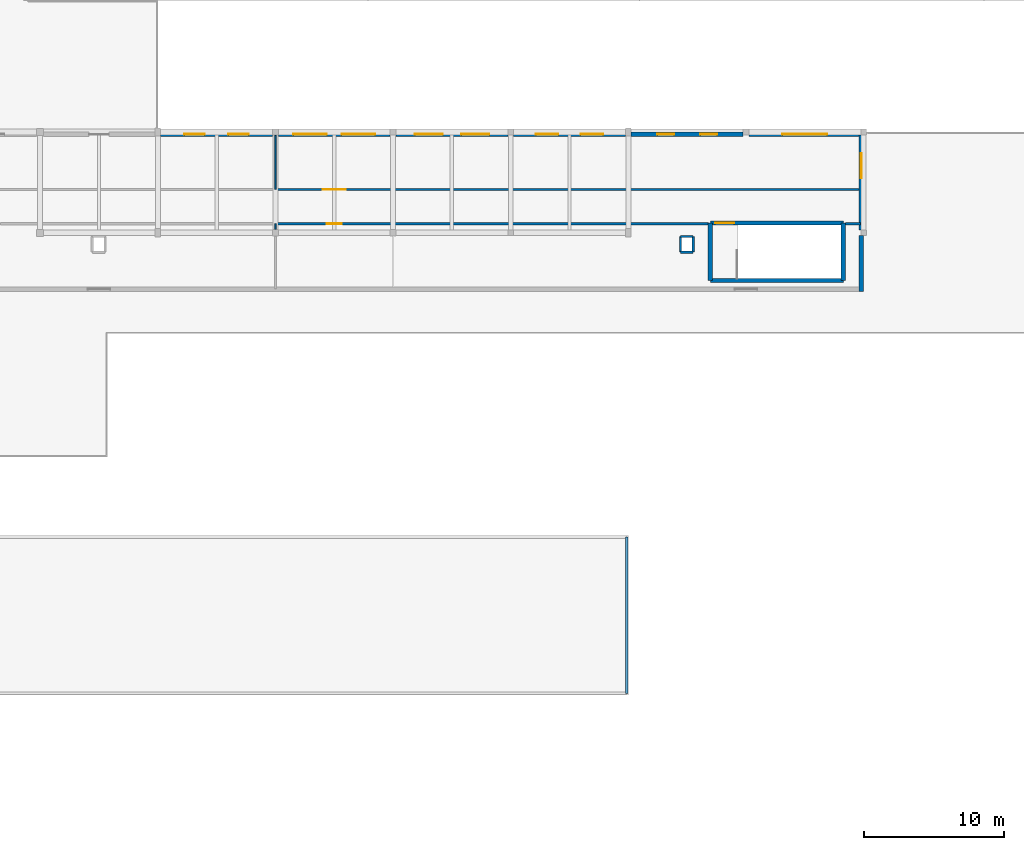
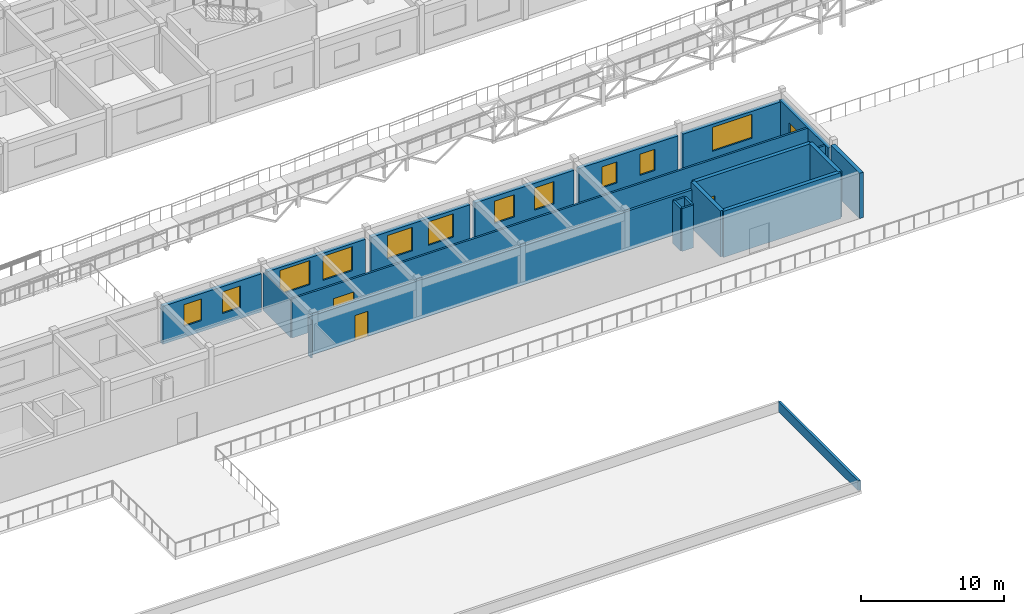
# One storey, part 28 of 41: 22 walls, 11 windows, 4 doors, 15 openings.
"""IFC4 building model written with IfcOpenShell, lengths in metres."""

from ifc_helpers import new_model, si_unit, direction, frame, frame_2d, origin, place, context, subcontext, project, spatial, rectangle, extrude, material, layer, layer_set, type_object, element, fill, save


model = new_model("IFC4")

# Units and contexts
model_context = context("Model", 3, precision=1e-05, world=origin(), true_north=direction((0.0, 1.0)))
body_context = subcontext(model_context, "Body", "Model", "MODEL_VIEW")
ifc_project = project(units=[si_unit("LENGTHUNIT", "METRE"), si_unit("AREAUNIT", "SQUARE_METRE"), si_unit("VOLUMEUNIT", "CUBIC_METRE"), si_unit("PLANEANGLEUNIT", "RADIAN"), si_unit("MASSUNIT", "GRAM", prefix="KILO")], contexts=[model_context])

# Site, building, storey
site_placement = place(None, origin())
site = spatial("IfcSite", under=ifc_project, at=site_placement, CompositionType="ELEMENT")
building_placement = place(site_placement, origin())
building = spatial("IfcBuilding", under=site, at=building_placement, Name="Malvenik Polytechnic", CompositionType="ELEMENT")
storey_placement = place(building_placement, frame((0.0, 0.0, 17.699951171875)))
storey = spatial("IfcBuildingStorey", under=building, at=storey_placement, Name="L04", CompositionType="ELEMENT", Elevation=17.699951171875)

# Wall
ifc_material_1 = material(Name="Concrete C35/45", Category="concrete")
ifc_layer_1 = layer(ifc_material_1, 0.300048828125)
ifc_layer_set_1 = layer_set([ifc_layer_1], Name="Concrete C35/45")
wall_type_1 = type_object("IfcWallType", Name="ARC-CW-S300", PredefinedType="SHEAR", material=ifc_layer_set_1)
wall_1_placement = place(storey_placement, frame((73.050048828125, 83.0, 0.0), z_axis=(0.0, 0.0, 1.0), x_axis=(0.0, 1.0, 0.0)))
element("IfcWall", 1, at=wall_1_placement, inside=storey, type_object=wall_type_1, Name="Stair Core Shear Wall ST-05 L04 NEAR", PredefinedType="SHEAR", context=body_context, shape_type="SweptSolid", body=[
    extrude(rectangle(XDim=4.10009765625, YDim=0.300048828125, at=frame_2d((2.050048828125, 0.0))), origin(), (0.0, 0.0, 1.0), 3.93994140625),
])

# Wall, opening, door
wall_2_placement = place(storey_placement, frame((73.050048828125, 87.10009765625, 0.0), z_axis=(0.0, 0.0, 1.0), x_axis=(1.0, 0.0, 0.0)))
wall_2 = element("IfcWall", 2, at=wall_2_placement, inside=storey, type_object=wall_type_1, Name="Stair Core Shear Wall ST-05 L04 RGHT", PredefinedType="SHEAR", context=body_context, shape_type="SweptSolid", body=[
    extrude(rectangle(XDim=9.5, YDim=0.300048828125, at=frame_2d((4.75, 0.0))), origin(), (0.0, 0.0, 1.0), 3.93994140625),
])
opening_1_placement = place(wall_2_placement, frame((0.35009765625, 0.0, 0.0)))
opening_1 = element("IfcOpeningElement", 3, at=opening_1_placement, cuts=wall_2, Name="Opening SD-01", PredefinedType="OPENING", context=body_context, shape_type="SweptSolid", body=[
    extrude(rectangle(XDim=1.35009765625, YDim=2.199951171875, at=frame_2d((0.675048828125, 1.10009765625))), frame((0.0, 0.16015625, 0.0), z_axis=(0.0, -1.0, 0.0), x_axis=(1.0, 0.0, 0.0)), (0.0, 0.0, 1.0), 0.320068359375),
])
ifc_material_2 = material(Name="Fire-rated steel stair enclosure door", Category="steel")
door_type_1 = type_object("IfcDoorType", Name="ARC-IDR-SD-01", OperationType="NOTDEFINED", PredefinedType="DOOR", material=ifc_material_2)
door_1_placement = place(opening_1_placement, origin())
door_1 = element("IfcDoor", 4, at=door_1_placement, inside=storey, type_object=door_type_1, Name="Fire Stair Door ST-05 L04", OperationType="SINGLE_SWING_RIGHT", OverallHeight=2.199951171875, OverallWidth=1.35009765625, PredefinedType="DOOR", context=body_context, shape_type="SweptSolid", body=[
    extrude(rectangle(XDim=1.35009765625, YDim=2.199951171875, at=frame_2d((0.675048828125, 1.10009765625))), frame((0.0, 0.02490234375, 0.0), z_axis=(0.0, -1.0, 0.0), x_axis=(1.0, 0.0, 0.0)), (0.0, 0.0, 1.0), 0.050048828125),
])
fill(opening_1, door_1)

# Walls
wall_3_placement = place(storey_placement, frame((82.550048828125, 87.10009765625, 0.0), z_axis=(0.0, 0.0, 1.0), x_axis=(0.0, -1.0, 0.0)))
element("IfcWall", 5, at=wall_3_placement, inside=storey, type_object=wall_type_1, Name="Stair Core Shear Wall ST-05 L04 FAR", PredefinedType="SHEAR", context=body_context, shape_type="SweptSolid", body=[
    extrude(rectangle(XDim=4.10009765625, YDim=0.300048828125, at=frame_2d((2.050048828125, 0.0))), origin(), (0.0, 0.0, 1.0), 3.93994140625),
])
wall_4_placement = place(storey_placement, frame((82.550048828125, 83.0, 0.0), z_axis=(0.0, 0.0, 1.0), x_axis=(-1.0, 0.0, 0.0)))
element("IfcWall", 6, at=wall_4_placement, inside=storey, type_object=wall_type_1, Name="Stair Core Shear Wall ST-05 L04 LEFT", PredefinedType="SHEAR", context=body_context, shape_type="SweptSolid", body=[
    extrude(rectangle(XDim=9.5, YDim=0.300048828125, at=frame_2d((4.75, 0.0))), origin(), (0.0, 0.0, 1.0), 3.93994140625),
])

# Wall, openings, windows
ifc_material_3 = material(Name="Brick masonry M15", Category="masonry")
ifc_layer_2 = layer(ifc_material_3, 0.31005859375)
ifc_layer_set_2 = layer_set([ifc_layer_2], Name="Brick masonry M15")
wall_type_2 = type_object("IfcWallType", Name="ARC-EW-310", PredefinedType="SOLIDWALL", material=ifc_layer_set_2)
wall_5_placement = place(storey_placement, frame((33.798095703125, 93.429931640625, 0.0), z_axis=(0.0, 0.0, 1.0), x_axis=(1.0, 0.0, 0.0)))
wall_5 = element("IfcWall", 7, at=wall_5_placement, inside=storey, type_object=wall_type_2, Name="External Facade Wall EW-03 L04 #458", PredefinedType="SOLIDWALL", context=body_context, shape_type="SweptSolid", body=[
    extrude(rectangle(XDim=7.97900390625, YDim=0.31005859375, at=frame_2d((3.989501953125, 0.0))), origin(), (0.0, 0.0, 1.0), 3.25),
])
opening_2_placement = place(wall_5_placement, frame((1.693115234375, 0.0, 0.949951171875)))
opening_2 = element("IfcOpeningElement", 8, at=opening_2_placement, cuts=wall_5, Name="Opening W-31", PredefinedType="OPENING", context=body_context, shape_type="SweptSolid", body=[
    extrude(rectangle(XDim=1.449951171875, YDim=1.85009765625, at=frame_2d((0.72509765625, 0.925048828125))), frame((0.0, 0.1650390625, 0.0), z_axis=(0.0, -1.0, 0.0), x_axis=(1.0, 0.0, 0.0)), (0.0, 0.0, 1.0), 0.330078125),
])
opening_3_placement = place(wall_5_placement, frame((4.8359375, 0.0, 0.949951171875)))
opening_3 = element("IfcOpeningElement", 9, at=opening_3_placement, cuts=wall_5, Name="Opening W-31", PredefinedType="OPENING", context=body_context, shape_type="SweptSolid", body=[
    extrude(rectangle(XDim=1.449951171875, YDim=1.85009765625, at=frame_2d((0.72509765625, 0.925048828125))), frame((0.0, 0.1650390625, 0.0), z_axis=(0.0, -1.0, 0.0), x_axis=(1.0, 0.0, 0.0)), (0.0, 0.0, 1.0), 0.330078125),
])
ifc_material_4 = material(Name="Thermally broken aluminium frame with low-E double glazing", Category="aluminium")
window_type_1 = type_object("IfcWindowType", Name="ARC-WIN-W-31", PartitioningType="SINGLE_PANEL", PredefinedType="WINDOW", material=ifc_material_4)
window_1_placement = place(opening_2_placement, origin())
window_1 = element("IfcWindow", 10, at=window_1_placement, inside=storey, type_object=window_type_1, Name="Punched Window W-31 L04 #485", OverallHeight=1.85009765625, OverallWidth=1.449951171875, PartitioningType="SINGLE_PANEL", PredefinedType="WINDOW", context=body_context, shape_type="SweptSolid", body=[
    extrude(rectangle(XDim=1.449951171875, YDim=1.85009765625, at=frame_2d((0.72509765625, 0.925048828125))), frame((0.0, 0.030029296875, 0.0), z_axis=(0.0, -1.0, 0.0), x_axis=(1.0, 0.0, 0.0)), (0.0, 0.0, 1.0), 0.06005859375),
])
fill(opening_2, window_1)
window_2_placement = place(opening_3_placement, origin())
window_2 = element("IfcWindow", 11, at=window_2_placement, inside=storey, type_object=window_type_1, Name="Punched Window W-31 L04 #486", OverallHeight=1.85009765625, OverallWidth=1.449951171875, PartitioningType="SINGLE_PANEL", PredefinedType="WINDOW", context=body_context, shape_type="SweptSolid", body=[
    extrude(rectangle(XDim=1.449951171875, YDim=1.85009765625, at=frame_2d((0.72509765625, 0.925048828125))), frame((0.0, 0.030029296875, 0.0), z_axis=(0.0, -1.0, 0.0), x_axis=(1.0, 0.0, 0.0)), (0.0, 0.0, 1.0), 0.06005859375),
])
fill(opening_3, window_2)

wall_6_placement = place(storey_placement, frame((42.222900390625, 93.429931640625, 0.0), z_axis=(0.0, 0.0, 1.0), x_axis=(1.0, 0.0, 0.0)))
wall_6 = element("IfcWall", 12, at=wall_6_placement, inside=storey, type_object=wall_type_2, Name="External Facade Wall EW-03 L04 #459", PredefinedType="SOLIDWALL", context=body_context, shape_type="SweptSolid", body=[
    extrude(rectangle(XDim=7.9541015625, YDim=0.31005859375, at=frame_2d((3.97705078125, 0.0))), origin(), (0.0, 0.0, 1.0), 3.25),
])
opening_4_placement = place(wall_6_placement, frame((1.05126953125, 0.0, 0.949951171875)))
opening_4 = element("IfcOpeningElement", 13, at=opening_4_placement, cuts=wall_6, Name="Opening W-01", PredefinedType="OPENING", context=body_context, shape_type="SweptSolid", body=[
    extrude(rectangle(XDim=2.39990234375, YDim=2.050048828125, at=frame_2d((1.199951171875, 1.02490234375))), frame((0.0, 0.1650390625, 0.0), z_axis=(0.0, -1.0, 0.0), x_axis=(1.0, 0.0, 0.0)), (0.0, 0.0, 1.0), 0.330078125),
])
opening_5_placement = place(wall_6_placement, frame((4.502685546875, 0.0, 0.949951171875)))
opening_5 = element("IfcOpeningElement", 14, at=opening_5_placement, cuts=wall_6, Name="Opening W-01", PredefinedType="OPENING", context=body_context, shape_type="SweptSolid", body=[
    extrude(rectangle(XDim=2.39990234375, YDim=2.050048828125, at=frame_2d((1.199951171875, 1.02490234375))), frame((0.0, 0.1650390625, 0.0), z_axis=(0.0, -1.0, 0.0), x_axis=(1.0, 0.0, 0.0)), (0.0, 0.0, 1.0), 0.330078125),
])
window_type_2 = type_object("IfcWindowType", Name="ARC-WIN-W-01", PartitioningType="SINGLE_PANEL", PredefinedType="WINDOW", material=ifc_material_4)
window_3_placement = place(opening_4_placement, origin())
window_3 = element("IfcWindow", 15, at=window_3_placement, inside=storey, type_object=window_type_2, Name="Punched Window W-01 L04 #487", OverallHeight=2.050048828125, OverallWidth=2.39990234375, PartitioningType="SINGLE_PANEL", PredefinedType="WINDOW", context=body_context, shape_type="SweptSolid", body=[
    extrude(rectangle(XDim=2.39990234375, YDim=2.050048828125, at=frame_2d((1.199951171875, 1.02490234375))), frame((0.0, 0.030029296875, 0.0), z_axis=(0.0, -1.0, 0.0), x_axis=(1.0, 0.0, 0.0)), (0.0, 0.0, 1.0), 0.06005859375),
])
fill(opening_4, window_3)
window_4_placement = place(opening_5_placement, origin())
window_4 = element("IfcWindow", 16, at=window_4_placement, inside=storey, type_object=window_type_2, Name="Punched Window W-01 L04 #488", OverallHeight=2.050048828125, OverallWidth=2.39990234375, PartitioningType="SINGLE_PANEL", PredefinedType="WINDOW", context=body_context, shape_type="SweptSolid", body=[
    extrude(rectangle(XDim=2.39990234375, YDim=2.050048828125, at=frame_2d((1.199951171875, 1.02490234375))), frame((0.0, 0.030029296875, 0.0), z_axis=(0.0, -1.0, 0.0), x_axis=(1.0, 0.0, 0.0)), (0.0, 0.0, 1.0), 0.06005859375),
])
fill(opening_5, window_4)

wall_7_placement = place(storey_placement, frame((50.623046875, 93.429931640625, 0.0), z_axis=(0.0, 0.0, 1.0), x_axis=(1.0, 0.0, 0.0)))
wall_7 = element("IfcWall", 17, at=wall_7_placement, inside=storey, type_object=wall_type_2, Name="External Facade Wall EW-03 L04 #460", PredefinedType="SOLIDWALL", context=body_context, shape_type="SweptSolid", body=[
    extrude(rectangle(XDim=7.97900390625, YDim=0.31005859375, at=frame_2d((3.989501953125, 0.0))), origin(), (0.0, 0.0, 1.0), 3.25),
])
opening_6_placement = place(wall_7_placement, frame((1.326416015625, 0.0, 0.949951171875)))
opening_6 = element("IfcOpeningElement", 18, at=opening_6_placement, cuts=wall_7, Name="Opening W-03", PredefinedType="OPENING", context=body_context, shape_type="SweptSolid", body=[
    extrude(rectangle(XDim=2.0, YDim=2.0, at=frame_2d((1.0, 1.0))), frame((0.0, 0.1650390625, 0.0), z_axis=(0.0, -1.0, 0.0), x_axis=(1.0, 0.0, 0.0)), (0.0, 0.0, 1.0), 0.330078125),
])
opening_7_placement = place(wall_7_placement, frame((4.652587890625, 0.0, 0.949951171875)))
opening_7 = element("IfcOpeningElement", 19, at=opening_7_placement, cuts=wall_7, Name="Opening W-03", PredefinedType="OPENING", context=body_context, shape_type="SweptSolid", body=[
    extrude(rectangle(XDim=2.0, YDim=2.0, at=frame_2d((1.0, 1.0))), frame((0.0, 0.1650390625, 0.0), z_axis=(0.0, -1.0, 0.0), x_axis=(1.0, 0.0, 0.0)), (0.0, 0.0, 1.0), 0.330078125),
])
window_type_3 = type_object("IfcWindowType", Name="ARC-WIN-W-03", PartitioningType="SINGLE_PANEL", PredefinedType="WINDOW", material=ifc_material_4)
window_5_placement = place(opening_6_placement, origin())
window_5 = element("IfcWindow", 20, at=window_5_placement, inside=storey, type_object=window_type_3, Name="Punched Window W-03 L04 #489", OverallHeight=2.0, OverallWidth=2.0, PartitioningType="SINGLE_PANEL", PredefinedType="WINDOW", context=body_context, shape_type="SweptSolid", body=[
    extrude(rectangle(XDim=2.0, YDim=2.0, at=frame_2d((1.0, 1.0))), frame((0.0, 0.030029296875, 0.0), z_axis=(0.0, -1.0, 0.0), x_axis=(1.0, 0.0, 0.0)), (0.0, 0.0, 1.0), 0.06005859375),
])
fill(opening_6, window_5)
window_6_placement = place(opening_7_placement, origin())
window_6 = element("IfcWindow", 21, at=window_6_placement, inside=storey, type_object=window_type_3, Name="Punched Window W-03 L04 #490", OverallHeight=2.0, OverallWidth=2.0, PartitioningType="SINGLE_PANEL", PredefinedType="WINDOW", context=body_context, shape_type="SweptSolid", body=[
    extrude(rectangle(XDim=2.0, YDim=2.0, at=frame_2d((1.0, 1.0))), frame((0.0, 0.030029296875, 0.0), z_axis=(0.0, -1.0, 0.0), x_axis=(1.0, 0.0, 0.0)), (0.0, 0.0, 1.0), 0.06005859375),
])
fill(opening_7, window_6)

wall_8_placement = place(storey_placement, frame((58.998046875, 93.429931640625, 0.0), z_axis=(0.0, 0.0, 1.0), x_axis=(1.0, 0.0, 0.0)))
wall_8 = element("IfcWall", 22, at=wall_8_placement, inside=storey, type_object=wall_type_2, Name="External Facade Wall EW-03 L04 #461", PredefinedType="SOLIDWALL", context=body_context, shape_type="SweptSolid", body=[
    extrude(rectangle(XDim=8.00390625, YDim=0.31005859375, at=frame_2d((4.001953125, 0.0))), origin(), (0.0, 0.0, 1.0), 3.25),
])
opening_8_placement = place(wall_8_placement, frame((1.601318359375, 0.0, 0.949951171875)))
opening_8 = element("IfcOpeningElement", 23, at=opening_8_placement, cuts=wall_8, Name="Opening W-05", PredefinedType="OPENING", context=body_context, shape_type="SweptSolid", body=[
    extrude(rectangle(XDim=1.60009765625, YDim=1.89990234375, at=frame_2d((0.800048828125, 0.949951171875))), frame((0.0, 0.1650390625, 0.0), z_axis=(0.0, -1.0, 0.0), x_axis=(1.0, 0.0, 0.0)), (0.0, 0.0, 1.0), 0.330078125),
])
opening_9_placement = place(wall_8_placement, frame((4.802490234375, 0.0, 0.949951171875)))
opening_9 = element("IfcOpeningElement", 24, at=opening_9_placement, cuts=wall_8, Name="Opening W-05", PredefinedType="OPENING", context=body_context, shape_type="SweptSolid", body=[
    extrude(rectangle(XDim=1.60009765625, YDim=1.89990234375, at=frame_2d((0.800048828125, 0.949951171875))), frame((0.0, 0.1650390625, 0.0), z_axis=(0.0, -1.0, 0.0), x_axis=(1.0, 0.0, 0.0)), (0.0, 0.0, 1.0), 0.330078125),
])
window_type_4 = type_object("IfcWindowType", Name="ARC-WIN-W-05", PartitioningType="SINGLE_PANEL", PredefinedType="WINDOW", material=ifc_material_4)
window_7_placement = place(opening_8_placement, origin())
window_7 = element("IfcWindow", 25, at=window_7_placement, inside=storey, type_object=window_type_4, Name="Punched Window W-05 L04 #491", OverallHeight=1.89990234375, OverallWidth=1.60009765625, PartitioningType="SINGLE_PANEL", PredefinedType="WINDOW", context=body_context, shape_type="SweptSolid", body=[
    extrude(rectangle(XDim=1.60009765625, YDim=1.89990234375, at=frame_2d((0.800048828125, 0.949951171875))), frame((0.0, 0.030029296875, 0.0), z_axis=(0.0, -1.0, 0.0), x_axis=(1.0, 0.0, 0.0)), (0.0, 0.0, 1.0), 0.06005859375),
])
fill(opening_8, window_7)
window_8_placement = place(opening_9_placement, origin())
window_8 = element("IfcWindow", 26, at=window_8_placement, inside=storey, type_object=window_type_4, Name="Punched Window W-05 L04 #492", OverallHeight=1.89990234375, OverallWidth=1.60009765625, PartitioningType="SINGLE_PANEL", PredefinedType="WINDOW", context=body_context, shape_type="SweptSolid", body=[
    extrude(rectangle(XDim=1.60009765625, YDim=1.89990234375, at=frame_2d((0.800048828125, 0.949951171875))), frame((0.0, 0.030029296875, 0.0), z_axis=(0.0, -1.0, 0.0), x_axis=(1.0, 0.0, 0.0)), (0.0, 0.0, 1.0), 0.06005859375),
])
fill(opening_9, window_8)

wall_9_placement = place(storey_placement, frame((67.39794921875, 93.429931640625, 0.0), z_axis=(0.0, 0.0, 1.0), x_axis=(1.0, 0.0, 0.0)))
wall_9 = element("IfcWall", 27, at=wall_9_placement, inside=storey, type_object=wall_type_2, Name="External Facade Wall EW-03 L04 #462", PredefinedType="SOLIDWALL", context=body_context, shape_type="SweptSolid", body=[
    extrude(rectangle(XDim=8.004150390625, YDim=0.31005859375, at=frame_2d((4.001953125, 0.0))), origin(), (0.0, 0.0, 1.0), 3.25),
])
opening_10_placement = place(wall_9_placement, frame((1.867919921875, 0.0, 0.949951171875)))
opening_10 = element("IfcOpeningElement", 28, at=opening_10_placement, cuts=wall_9, Name="Opening W-07", PredefinedType="OPENING", context=body_context, shape_type="SweptSolid", body=[
    extrude(rectangle(XDim=1.199951171875, YDim=1.800048828125, at=frame_2d((0.60009765625, 0.89990234375))), frame((0.0, 0.1650390625, 0.0), z_axis=(0.0, -1.0, 0.0), x_axis=(1.0, 0.0, 0.0)), (0.0, 0.0, 1.0), 0.330078125),
])
opening_11_placement = place(wall_9_placement, frame((4.93603515625, 0.0, 0.949951171875)))
opening_11 = element("IfcOpeningElement", 29, at=opening_11_placement, cuts=wall_9, Name="Opening W-07", PredefinedType="OPENING", context=body_context, shape_type="SweptSolid", body=[
    extrude(rectangle(XDim=1.199951171875, YDim=1.800048828125, at=frame_2d((0.60009765625, 0.89990234375))), frame((0.0, 0.1650390625, 0.0), z_axis=(0.0, -1.0, 0.0), x_axis=(1.0, 0.0, 0.0)), (0.0, 0.0, 1.0), 0.330078125),
])
window_type_5 = type_object("IfcWindowType", Name="ARC-WIN-W-07", PartitioningType="SINGLE_PANEL", PredefinedType="WINDOW", material=ifc_material_4)
window_9_placement = place(opening_10_placement, origin())
window_9 = element("IfcWindow", 30, at=window_9_placement, inside=storey, type_object=window_type_5, Name="Punched Window W-07 L04 #493", OverallHeight=1.800048828125, OverallWidth=1.199951171875, PartitioningType="SINGLE_PANEL", PredefinedType="WINDOW", context=body_context, shape_type="SweptSolid", body=[
    extrude(rectangle(XDim=1.199951171875, YDim=1.800048828125, at=frame_2d((0.60009765625, 0.89990234375))), frame((0.0, 0.030029296875, 0.0), z_axis=(0.0, -1.0, 0.0), x_axis=(1.0, 0.0, 0.0)), (0.0, 0.0, 1.0), 0.06005859375),
])
fill(opening_10, window_9)
window_10_placement = place(opening_11_placement, origin())
window_10 = element("IfcWindow", 31, at=window_10_placement, inside=storey, type_object=window_type_5, Name="Punched Window W-07 L04 #494", OverallHeight=1.800048828125, OverallWidth=1.199951171875, PartitioningType="SINGLE_PANEL", PredefinedType="WINDOW", context=body_context, shape_type="SweptSolid", body=[
    extrude(rectangle(XDim=1.199951171875, YDim=1.800048828125, at=frame_2d((0.60009765625, 0.89990234375))), frame((0.0, 0.030029296875, 0.0), z_axis=(0.0, -1.0, 0.0), x_axis=(1.0, 0.0, 0.0)), (0.0, 0.0, 1.0), 0.06005859375),
])
fill(opening_11, window_10)

# Wall, opening, window
wall_10_placement = place(storey_placement, frame((75.798095703125, 93.429931640625, 0.0), z_axis=(0.0, 0.0, 1.0), x_axis=(1.0, 0.0, 0.0)))
wall_10 = element("IfcWall", 32, at=wall_10_placement, inside=storey, type_object=wall_type_2, Name="External Facade Wall EW-03 L04 #463", PredefinedType="SOLIDWALL", context=body_context, shape_type="SweptSolid", body=[
    extrude(rectangle(XDim=8.00390625, YDim=0.31005859375, at=frame_2d((4.001953125, 0.0))), origin(), (0.0, 0.0, 1.0), 3.25),
])
opening_12_placement = place(wall_10_placement, frame((2.402099609375, 0.0, 0.949951171875)))
opening_12 = element("IfcOpeningElement", 33, at=opening_12_placement, cuts=wall_10, Name="Opening W-09", PredefinedType="OPENING", context=body_context, shape_type="SweptSolid", body=[
    extrude(rectangle(XDim=3.199951171875, YDim=2.050048828125, at=frame_2d((1.60009765625, 1.02490234375))), frame((0.0, 0.1650390625, 0.0), z_axis=(0.0, -1.0, 0.0), x_axis=(1.0, 0.0, 0.0)), (0.0, 0.0, 1.0), 0.330078125),
])
window_type_6 = type_object("IfcWindowType", Name="ARC-WIN-W-09", PartitioningType="SINGLE_PANEL", PredefinedType="WINDOW", material=ifc_material_4)
window_11_placement = place(opening_12_placement, origin())
window_11 = element("IfcWindow", 34, at=window_11_placement, inside=storey, type_object=window_type_6, Name="Punched Window W-09 L04 #495", OverallHeight=2.050048828125, OverallWidth=3.199951171875, PartitioningType="SINGLE_PANEL", PredefinedType="WINDOW", context=body_context, shape_type="SweptSolid", body=[
    extrude(rectangle(XDim=3.199951171875, YDim=2.050048828125, at=frame_2d((1.60009765625, 1.02490234375))), frame((0.0, 0.030029296875, 0.0), z_axis=(0.0, -1.0, 0.0), x_axis=(1.0, 0.0, 0.0)), (0.0, 0.0, 1.0), 0.06005859375),
])
fill(opening_12, window_11)

# Wall, opening, door
wall_11_placement = place(storey_placement, frame((83.830078125, 93.402099609375, 0.0), z_axis=(0.0, 0.0, 1.0), x_axis=(0.0, -1.0, 0.0)))
wall_11 = element("IfcWall", 35, at=wall_11_placement, inside=storey, type_object=wall_type_2, Name="External Facade Wall EW-03 L04 #464", PredefinedType="SOLIDWALL", context=body_context, shape_type="SweptSolid", body=[
    extrude(rectangle(XDim=6.80419921875, YDim=0.31005859375, at=frame_2d((3.402099609375, 0.0))), origin(), (0.0, 0.0, 1.0), 3.360107421875),
])
opening_13_placement = place(wall_11_placement, frame((1.302001953125, 0.0, 0.0)))
opening_13 = element("IfcOpeningElement", 36, at=opening_13_placement, cuts=wall_11, Name="Opening TD-01", PredefinedType="OPENING", context=body_context, shape_type="SweptSolid", body=[
    extrude(rectangle(XDim=1.800048828125, YDim=2.199951171875, at=frame_2d((0.89990234375, 1.10009765625))), frame((0.0, 0.1650390625, 0.0), z_axis=(0.0, -1.0, 0.0), x_axis=(1.0, 0.0, 0.0)), (0.0, 0.0, 1.0), 0.330078125),
])
ifc_material_5 = material(Name="Thermally broken glazed aluminium terrace door", Category="aluminium")
door_type_2 = type_object("IfcDoorType", Name="ARC-EDR-TD-01", OperationType="NOTDEFINED", PredefinedType="DOOR", material=ifc_material_5)
door_2_placement = place(opening_13_placement, origin())
door_2 = element("IfcDoor", 37, at=door_2_placement, inside=storey, type_object=door_type_2, Name="External Door TD-01 L04 #43", OperationType="DOUBLE_DOOR_SINGLE_SWING", OverallHeight=2.199951171875, OverallWidth=1.800048828125, PredefinedType="DOOR", context=body_context, shape_type="SweptSolid", body=[
    extrude(rectangle(XDim=1.800048828125, YDim=2.199951171875, at=frame_2d((0.89990234375, 1.10009765625))), frame((0.0, 0.02490234375, 0.0), z_axis=(0.0, -1.0, 0.0), x_axis=(1.0, 0.0, 0.0)), (0.0, 0.0, 1.0), 0.050048828125),
])
fill(opening_13, door_2)

# Wall
wall_12_placement = place(storey_placement, frame((83.830078125, 86.201904296875, 0.0), z_axis=(0.0, 0.0, 1.0), x_axis=(0.0, -1.0, 0.0)))
element("IfcWall", 38, at=wall_12_placement, inside=storey, type_object=wall_type_2, Name="External Facade Wall EW-03 L04 #465", PredefinedType="SOLIDWALL", context=body_context, shape_type="SweptSolid", body=[
    extrude(rectangle(XDim=4.001953125, YDim=0.31005859375, at=frame_2d((2.0009765625, 0.0))), origin(), (0.0, 0.0, 1.0), 3.860107421875),
])

# Wall, opening, door
ifc_material_6 = material(Name="Calcium silicate fire-rated blockwork 200mm", Category="masonry")
ifc_layer_3 = layer(ifc_material_6, 0.199951171875)
ifc_layer_set_3 = layer_set([ifc_layer_3], Name="Calcium silicate fire-rated blockwork 200mm")
wall_type_3 = type_object("IfcWallType", Name="ARC-FW-200", PredefinedType="SOLIDWALL", material=ifc_layer_set_3)
wall_13_placement = place(storey_placement, frame((72.909912109375, 87.050048828125, 0.0), z_axis=(0.0, 0.0, 1.0), x_axis=(-1.0, 0.0, 0.0)))
wall_13 = element("IfcWall", 39, at=wall_13_placement, inside=storey, type_object=wall_type_3, Name="Interior Partition FW-02 L04 #388", PredefinedType="SOLIDWALL", context=body_context, shape_type="SweptSolid", body=[
    extrude(rectangle(XDim=30.909912109375, YDim=0.199951171875, at=frame_2d((15.455078125, 0.0))), origin(), (0.0, 0.0, 1.0), 3.35498046875),
])
opening_14_placement = place(wall_13_placement, frame((26.18505859375, 0.0, 0.0)))
opening_14 = element("IfcOpeningElement", 40, at=opening_14_placement, cuts=wall_13, Name="Opening FD-05", PredefinedType="OPENING", context=body_context, shape_type="SweptSolid", body=[
    extrude(rectangle(XDim=1.050048828125, YDim=2.14990234375, at=frame_2d((0.52490234375, 1.074951171875))), frame((0.0, 0.10986328125, 0.0), z_axis=(0.0, -1.0, 0.0), x_axis=(1.0, 0.0, 0.0)), (0.0, 0.0, 1.0), 0.219970703125),
])
ifc_material_7 = material(Name="Fire-rated archive room door", Category="steel")
door_type_3 = type_object("IfcDoorType", Name="ARC-IDR-FD-05", OperationType="NOTDEFINED", PredefinedType="DOOR", material=ifc_material_7)
door_3_placement = place(opening_14_placement, origin())
door_3 = element("IfcDoor", 41, at=door_3_placement, inside=storey, type_object=door_type_3, Name="Interior Door FD-05 L04 #163", OperationType="SINGLE_SWING_LEFT", OverallHeight=2.14990234375, OverallWidth=1.050048828125, PredefinedType="DOOR", context=body_context, shape_type="SweptSolid", body=[
    extrude(rectangle(XDim=1.050048828125, YDim=2.14990234375, at=frame_2d((0.52490234375, 1.074951171875))), frame((0.0, 0.02490234375, 0.0), z_axis=(0.0, -1.0, 0.0), x_axis=(1.0, 0.0, 0.0)), (0.0, 0.0, 1.0), 0.050048828125),
])
fill(opening_14, door_3)

# Walls
ifc_material_8 = material(Name="Lightweight gypsum partition 110mm", Category="gypsum")
ifc_layer_4 = layer(ifc_material_8, 0.110107421875)
ifc_layer_set_4 = layer_set([ifc_layer_4], Name="Lightweight gypsum partition 110mm")
wall_type_4 = type_object("IfcWallType", Name="ARC-PW-110", PredefinedType="PARTITIONING", material=ifc_layer_set_4)
wall_14_placement = place(storey_placement, frame((42.0, 89.5, 0.0), z_axis=(0.0, 0.0, 1.0), x_axis=(0.0, 1.0, 0.0)))
element("IfcWall", 42, at=wall_14_placement, inside=storey, type_object=wall_type_4, Name="Interior Partition PW-04I L04 #380", PredefinedType="PARTITIONING", context=body_context, shape_type="SweptSolid", body=[
    extrude(rectangle(XDim=3.85498046875, YDim=0.110107421875, at=frame_2d((1.927490234375, 0.0))), origin(), (0.0, 0.0, 1.0), 3.2451171875),
])
wall_15_placement = place(storey_placement, frame((42.0, 86.64501953125, 0.0), z_axis=(0.0, 0.0, 1.0), x_axis=(0.0, 1.0, 0.0)))
element("IfcWall", 43, at=wall_15_placement, inside=storey, type_object=wall_type_4, Name="Interior Partition PW-04I L04 #386", PredefinedType="PARTITIONING", context=body_context, shape_type="SweptSolid", body=[
    extrude(rectangle(XDim=0.405029296875, YDim=0.110107421875, at=frame_2d((0.20263671875, 0.0))), origin(), (0.0, 0.0, 1.0), 3.22509765625),
])
ifc_material_9 = material(Name="Double-stud acoustic gypsum board partition 160mm", Category="gypsum")
ifc_layer_5 = layer(ifc_material_9, 0.159912109375)
ifc_layer_set_5 = layer_set([ifc_layer_5], Name="Double-stud acoustic gypsum board partition 160mm")
wall_type_5 = type_object("IfcWallType", Name="ARC-PW-160", PredefinedType="PARTITIONING", material=ifc_layer_set_5)
for number, where, z_axis, x_axis, name in (
    (44, (70.919921875, 85.02001953125, 0.0), (0.0, 0.0, 1.0), (1.0, 0.0, 0.0), "Riser Shaft Enclosure L04 #50S"),
    (45, (71.830078125, 86.1298828125, 0.0), (0.0, 0.0, 1.0), (-1.0, 0.0, 0.0), "Riser Shaft Enclosure L04 #50N"),
):
    element("IfcWall", number, at=place(storey_placement, frame(where, z_axis=z_axis, x_axis=x_axis)), inside=storey, type_object=wall_type_5, Name=name, PredefinedType="PARTITIONING", context=body_context, shape_type="SweptSolid", body=[
        extrude(rectangle(XDim=0.91015625, YDim=0.159912109375, at=frame_2d((0.455078125, 0.0))), origin(), (0.0, 0.0, 1.0), 3.650146484375),
    ])
for number, where, z_axis, x_axis, name in (
    (46, (70.919921875, 86.1298828125, 0.0), (0.0, 0.0, 1.0), (0.0, -1.0, 0.0), "Riser Shaft Enclosure L04 #50W"),
    (47, (71.830078125, 85.02001953125, 0.0), (0.0, 0.0, 1.0), (0.0, 1.0, 0.0), "Riser Shaft Enclosure L04 #50E"),
):
    element("IfcWall", number, at=place(storey_placement, frame(where, z_axis=z_axis, x_axis=x_axis)), inside=storey, type_object=wall_type_5, Name=name, PredefinedType="PARTITIONING", context=body_context, shape_type="SweptSolid", body=[
        extrude(rectangle(XDim=1.10986328125, YDim=0.159912109375, at=frame_2d((0.554931640625, 0.0))), origin(), (0.0, 0.0, 1.0), 3.650146484375),
    ])

# Wall, opening, door
wall_16_placement = place(storey_placement, frame((42.0, 89.5, 0.0), z_axis=(0.0, 0.0, 1.0), x_axis=(1.0, 0.0, 0.0)))
wall_16 = element("IfcWall", 48, at=wall_16_placement, inside=storey, type_object=wall_type_5, Name="Interior Partition PW-01I L04 #381", PredefinedType="PARTITIONING", context=body_context, shape_type="SweptSolid", body=[
    extrude(rectangle(XDim=41.780029296875, YDim=0.159912109375, at=frame_2d((20.89013671875, 0.0))), origin(), (0.0, 0.0, 1.0), 3.35498046875),
])
opening_15_placement = place(wall_16_placement, frame((3.375, 0.0, 0.0)))
opening_15 = element("IfcOpeningElement", 49, at=opening_15_placement, cuts=wall_16, Name="Opening FD-03", PredefinedType="OPENING", context=body_context, shape_type="SweptSolid", body=[
    extrude(rectangle(XDim=1.64990234375, YDim=2.199951171875, at=frame_2d((0.824951171875, 1.10009765625))), frame((0.0, 0.08984375, 0.0), z_axis=(0.0, -1.0, 0.0), x_axis=(1.0, 0.0, 0.0)), (0.0, 0.0, 1.0), 0.179931640625),
])
ifc_material_10 = material(Name="Fire-rated double-leaf laboratory door", Category="steel")
door_type_4 = type_object("IfcDoorType", Name="ARC-IDR-FD-03", OperationType="NOTDEFINED", PredefinedType="DOOR", material=ifc_material_10)
door_4_placement = place(opening_15_placement, origin())
door_4 = element("IfcDoor", 50, at=door_4_placement, inside=storey, type_object=door_type_4, Name="Interior Door FD-03 L04 #161", OperationType="DOUBLE_DOOR_SINGLE_SWING", OverallHeight=2.199951171875, OverallWidth=1.64990234375, PredefinedType="DOOR", context=body_context, shape_type="SweptSolid", body=[
    extrude(rectangle(XDim=1.64990234375, YDim=2.199951171875, at=frame_2d((0.824951171875, 1.10009765625))), frame((0.0, 0.02490234375, 0.0), z_axis=(0.0, -1.0, 0.0), x_axis=(1.0, 0.0, 0.0)), (0.0, 0.0, 1.0), 0.050048828125),
])
fill(opening_15, door_4)

# Walls
wall_17_placement = place(storey_placement, frame((83.780029296875, 87.050048828125, 0.0), z_axis=(0.0, 0.0, 1.0), x_axis=(-1.0, 0.0, 0.0)))
element("IfcWall", 51, at=wall_17_placement, inside=storey, type_object=wall_type_5, Name="Interior Partition PW-01I L04 #387", PredefinedType="PARTITIONING", context=body_context, shape_type="SweptSolid", body=[
    extrude(rectangle(XDim=1.090087890625, YDim=0.159912109375, at=frame_2d((0.544921875, 0.0))), origin(), (0.0, 0.0, 1.0), 3.35498046875),
])
ifc_material_11 = material(Name="Precast concrete C40/50", Category="concrete")
ifc_layer_6 = layer(ifc_material_11, 0.199951171875)
ifc_layer_set_6 = layer_set([ifc_layer_6], Name="Precast concrete C40/50")
wall_type_6 = type_object("IfcWallType", Name="ARC-PW-200", PredefinedType="PARAPET", material=ifc_layer_set_6)
wall_18_placement = place(storey_placement, frame((67.080078125, 64.679931640625, 0.0), z_axis=(0.0, 0.0, 1.0), x_axis=(0.0, -1.0, 0.0)))
element("IfcWall", 52, at=wall_18_placement, inside=storey, type_object=wall_type_6, Name="V3 West Roof Parapet PW-02 #2", PredefinedType="PARAPET", context=body_context, shape_type="SweptSolid", body=[
    extrude(rectangle(XDim=11.159912109375, YDim=0.199951171875, at=frame_2d((5.580078125, 0.0))), origin(), (0.0, 0.0, 1.0), 0.85009765625),
])

save(model, "model.ifc")
